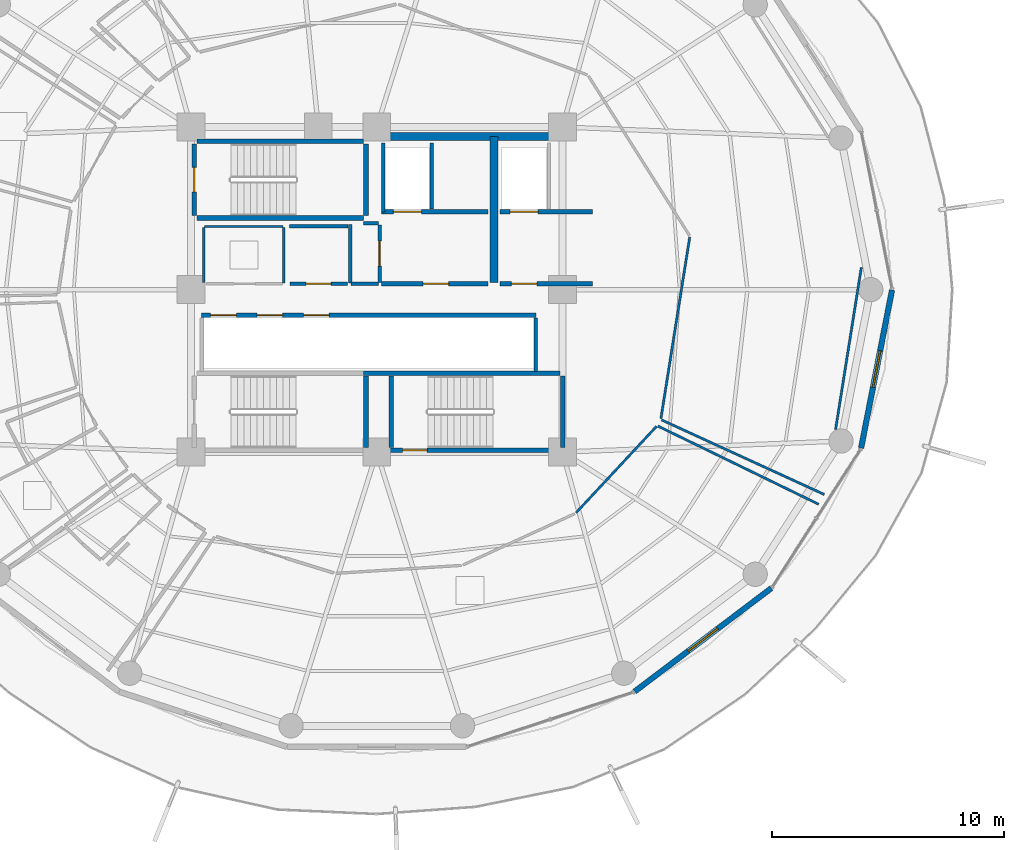
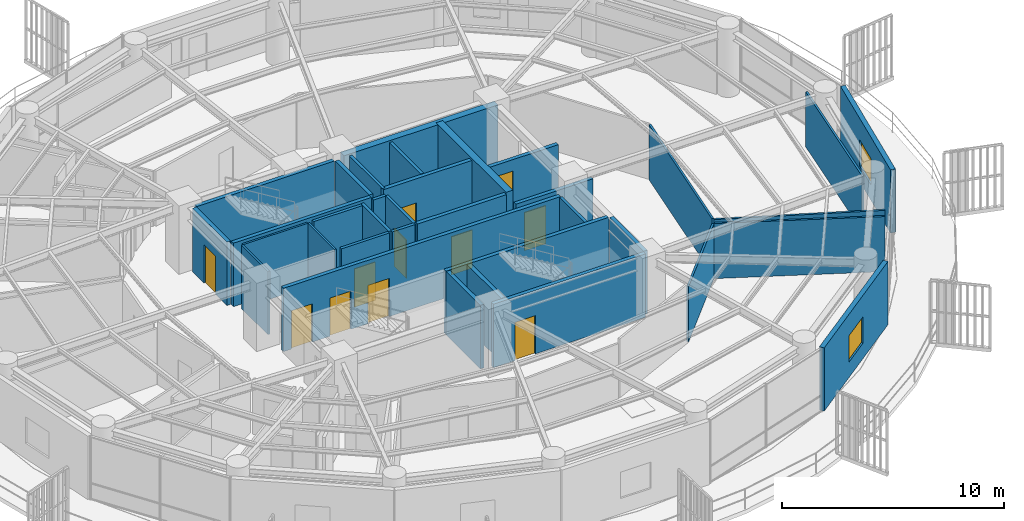
# One storey, part 24 of 30: 35 walls, 11 doors, 2 windows, 13 openings.
"""IFC4 building model written with IfcOpenShell, lengths in metres."""

from ifc_helpers import new_model, si_unit, direction, frame, frame_2d, origin, place, context, subcontext, project, spatial, rectangle, extrude, material, layer, layer_set, type_object, element, fill, save


model = new_model("IFC4")

# Units and contexts
model_context = context("Model", 3, precision=1e-05, world=origin(), true_north=direction((0.0, 1.0)))
body_context = subcontext(model_context, "Body", "Model", "MODEL_VIEW")
ifc_project = project(units=[si_unit("LENGTHUNIT", "METRE"), si_unit("AREAUNIT", "SQUARE_METRE"), si_unit("VOLUMEUNIT", "CUBIC_METRE"), si_unit("PLANEANGLEUNIT", "RADIAN"), si_unit("MASSUNIT", "GRAM", prefix="KILO")], contexts=[model_context])

# Site, building, storey
site_placement = place(None, origin())
site = spatial("IfcSite", under=ifc_project, at=site_placement, CompositionType="ELEMENT")
building_placement = place(site_placement, origin())
building = spatial("IfcBuilding", under=site, at=building_placement, Name="Kelanora Arch Commons", CompositionType="ELEMENT")
storey_placement = place(building_placement, frame((0.0, 0.0, 211.949951171875)))
storey = spatial("IfcBuildingStorey", under=building, at=storey_placement, Name="L54", CompositionType="ELEMENT", Elevation=211.949951171875)

# Walls
ifc_material_1 = material(Name="Autoclaved aerated concrete blockwork with fire plaster", Category="masonry")
ifc_layer_1 = layer(ifc_material_1, 0.14990234375)
ifc_layer_set_1 = layer_set([ifc_layer_1], Name="Autoclaved aerated concrete blockwork with fire plaster")
wall_type_1 = type_object("IfcWallType", Name="W-COMP-150", PredefinedType="PARTITIONING", material=ifc_layer_set_1)
wall_1_placement = place(storey_placement, frame((74.280029296875, 61.35009765625, 0.0), z_axis=(0.0, 0.0, 1.0), x_axis=(0.0, 1.0, 0.0)))
element("IfcWall", 1, at=wall_1_placement, inside=storey, type_object=wall_type_1, Name="Firefighting Lift 1 West Shaft Wall L54", PredefinedType="PARTITIONING", context=body_context, shape_type="SweptSolid", body=[
    extrude(rectangle(XDim=2.969970703125, YDim=0.14990234375, at=frame_2d((1.48486328125, 0.0))), origin(), (0.0, 0.0, 1.0), 3.47998046875),
])
wall_2_placement = place(storey_placement, frame((76.360107421875, 61.47998046875, 0.0), z_axis=(0.0, 0.0, 1.0), x_axis=(0.0, 1.0, 0.0)))
element("IfcWall", 2, at=wall_2_placement, inside=storey, type_object=wall_type_1, Name="Firefighting Lift 1 East Shaft Wall L54", PredefinedType="PARTITIONING", context=body_context, shape_type="SweptSolid", body=[
    extrude(rectangle(XDim=2.840087890625, YDim=0.14990234375, at=frame_2d((1.419921875, 0.0))), origin(), (0.0, 0.0, 1.0), 3.47998046875),
])
wall_3_placement = place(storey_placement, frame((80.840087890625, 54.47998046875, 0.0), z_axis=(0.0, 0.0, 1.0), x_axis=(0.0, 1.0, 0.0)))
element("IfcWall", 3, at=wall_3_placement, inside=storey, type_object=wall_type_1, Name="South Lift Bank East Wall L54", PredefinedType="PARTITIONING", context=body_context, shape_type="SweptSolid", body=[
    extrude(rectangle(XDim=2.2900390625, YDim=0.14990234375, at=frame_2d((1.14501953125, 0.0))), origin(), (0.0, 0.0, 1.0), 3.47998046875),
])

# Wall, opening, door
wall_4_placement = place(storey_placement, frame((74.1201171875, 58.31005859375, 0.0), z_axis=(0.0, 0.0, 1.0), x_axis=(0.0, 1.0, 0.0)))
wall_4 = element("IfcWall", 4, at=wall_4_placement, inside=storey, type_object=wall_type_1, Name="Core Linen Supply Store L54 Entry Partition", PredefinedType="PARTITIONING", context=body_context, shape_type="SweptSolid", body=[
    extrude(rectangle(XDim=2.47998046875, YDim=0.14990234375, at=frame_2d((1.239990234375, 0.0))), origin(), (0.0, 0.0, 1.0), 3.47998046875),
])
opening_1_placement = place(wall_4_placement, frame((0.699951171875, 0.0, 0.0)))
opening_1 = element("IfcOpeningElement", 5, at=opening_1_placement, cuts=wall_4, Name="Opening D-PLT1", PredefinedType="OPENING", context=body_context, shape_type="SweptSolid", body=[
    extrude(rectangle(XDim=1.080078125, YDim=2.10009765625, at=frame_2d((0.5400390625, 1.050048828125))), frame((0.0, 0.0849609375, 0.0), z_axis=(0.0, -1.0, 0.0), x_axis=(1.0, 0.0, 0.0)), (0.0, 0.0, 1.0), 0.169921875),
])
ifc_material_2 = material(Name="Galvanised steel plant and riser fire door", Category="steel")
door_type_1 = type_object("IfcDoorType", Name="D-PLT-110", OperationType="NOTDEFINED", PredefinedType="DOOR", material=ifc_material_2)
door_1_placement = place(opening_1_placement, origin())
door_1 = element("IfcDoor", 6, at=door_1_placement, inside=storey, type_object=door_type_1, Name="Core Linen Supply Store L54 Door", OperationType="SINGLE_SWING_RIGHT", OverallHeight=2.10009765625, OverallWidth=1.080078125, PredefinedType="DOOR", context=body_context, shape_type="SweptSolid", body=[
    extrude(rectangle(XDim=1.080078125, YDim=2.10009765625, at=frame_2d((0.5400390625, 1.050048828125))), frame((0.0, 0.02490234375, 0.0), z_axis=(0.0, -1.0, 0.0), x_axis=(1.0, 0.0, 0.0)), (0.0, 0.0, 1.0), 0.050048828125),
])
fill(opening_1, door_1)

wall_5_placement = place(storey_placement, frame((70.260009765625, 58.25, 0.0), z_axis=(0.0, 0.0, 1.0), x_axis=(1.0, 0.0, 0.0)))
wall_5 = element("IfcWall", 7, at=wall_5_placement, inside=storey, type_object=wall_type_1, Name="Reclaimed Core Linen Store L54 Entry Partition", PredefinedType="PARTITIONING", context=body_context, shape_type="SweptSolid", body=[
    extrude(rectangle(XDim=2.47998046875, YDim=0.14990234375, at=frame_2d((1.239990234375, 0.0))), origin(), (0.0, 0.0, 1.0), 3.47998046875),
])
opening_2_placement = place(wall_5_placement, frame((0.699951171875, 0.0, 0.0)))
opening_2 = element("IfcOpeningElement", 8, at=opening_2_placement, cuts=wall_5, Name="Opening D-PLT1", PredefinedType="OPENING", context=body_context, shape_type="SweptSolid", body=[
    extrude(rectangle(XDim=1.080078125, YDim=2.10009765625, at=frame_2d((0.5400390625, 1.050048828125))), frame((0.0, 0.0849609375, 0.0), z_axis=(0.0, -1.0, 0.0), x_axis=(1.0, 0.0, 0.0)), (0.0, 0.0, 1.0), 0.169921875),
])
door_2_placement = place(opening_2_placement, origin())
door_2 = element("IfcDoor", 9, at=door_2_placement, inside=storey, type_object=door_type_1, Name="Reclaimed Core Linen Store L54 Door", OperationType="SINGLE_SWING_RIGHT", OverallHeight=2.10009765625, OverallWidth=1.080078125, PredefinedType="DOOR", context=body_context, shape_type="SweptSolid", body=[
    extrude(rectangle(XDim=1.080078125, YDim=2.10009765625, at=frame_2d((0.5400390625, 1.050048828125))), frame((0.0, 0.02490234375, 0.0), z_axis=(0.0, -1.0, 0.0), x_axis=(1.0, 0.0, 0.0)), (0.0, 0.0, 1.0), 0.050048828125),
])
fill(opening_2, door_2)

# Walls
wall_6_placement = place(storey_placement, frame((72.89990234375, 58.25, 0.0), z_axis=(0.0, 0.0, 1.0), x_axis=(1.0, 0.0, 0.0)))
element("IfcWall", 10, at=wall_6_placement, inside=storey, type_object=wall_type_1, Name="Core Linen Supply Store L54 Enclosure Partition 1", PredefinedType="PARTITIONING", context=body_context, shape_type="SweptSolid", body=[
    extrude(rectangle(XDim=1.18017578125, YDim=0.14990234375, at=frame_2d((0.590087890625, 0.0))), origin(), (0.0, 0.0, 1.0), 3.47998046875),
])
wall_7_placement = place(storey_placement, frame((74.080078125, 60.85009765625, 0.0), z_axis=(0.0, 0.0, 1.0), x_axis=(-1.0, 0.0, 0.0)))
element("IfcWall", 11, at=wall_7_placement, inside=storey, type_object=wall_type_1, Name="Core Linen Supply Store L54 Enclosure Partition 3", PredefinedType="PARTITIONING", context=body_context, shape_type="SweptSolid", body=[
    extrude(rectangle(XDim=0.66015625, YDim=0.14990234375, at=frame_2d((0.330078125, 0.0))), origin(), (0.0, 0.0, 1.0), 3.47998046875),
])
for number, where, z_axis, x_axis, name in (
    (12, (72.860107421875, 60.81005859375, 0.0), (0.0, 0.0, 1.0), (0.0, -1.0, 0.0), "Core Linen Supply Store L54 Enclosure Partition 4"),
    (13, (72.760009765625, 60.719970703125, 0.0), (0.0, 0.0, 1.0), (-1.0, 0.0, 0.0), "Reclaimed Core Linen Store L54 Enclosure Partition 3"),
):
    element("IfcWall", number, at=place(storey_placement, frame(where, z_axis=z_axis, x_axis=x_axis)), inside=storey, type_object=wall_type_1, Name=name, PredefinedType="PARTITIONING", context=body_context, shape_type="SweptSolid", body=[
        extrude(rectangle(XDim=2.52001953125, YDim=0.14990234375, at=frame_2d((1.260009765625, 0.0))), origin(), (0.0, 0.0, 1.0), 3.47998046875),
    ])
ifc_material_3 = material(Name="Concrete C50/60", Category="concrete")
ifc_layer_2 = layer(ifc_material_3, 0.35009765625)
ifc_layer_set_2 = layer_set([ifc_layer_2], Name="Concrete C50/60")
wall_type_2 = type_object("IfcWallType", Name="W-CORE-350", PredefinedType="SHEAR", material=ifc_layer_set_2)
wall_8_placement = place(storey_placement, frame((74.0, 64.60009765625, 0.0), z_axis=(0.0, 0.0, 1.0), x_axis=(1.0, 0.0, 0.0)))
element("IfcWall", 14, at=wall_8_placement, inside=storey, type_object=wall_type_2, Name="Core Shear Spine L54-CN-E", PredefinedType="SHEAR", context=body_context, shape_type="SweptSolid", body=[
    extrude(rectangle(XDim=8.0, YDim=0.35009765625, at=frame_2d((4.0, 0.0))), origin(), (0.0, 0.0, 1.0), 3.489990234375),
])
wall_9_placement = place(storey_placement, frame((79.050048828125, 58.300048828125, 0.0), z_axis=(0.0, 0.0, 1.0), x_axis=(0.0, 1.0, 0.0)))
element("IfcWall", 15, at=wall_9_placement, inside=storey, type_object=wall_type_2, Name="Core Shear Spine L54-CE-N", PredefinedType="SHEAR", context=body_context, shape_type="SweptSolid", body=[
    extrude(rectangle(XDim=6.300048828125, YDim=0.35009765625, at=frame_2d((3.14990234375, 0.0))), origin(), (0.0, 0.0, 1.0), 3.489990234375),
])

# Wall, opening, window
ifc_material_4 = material(Name="Precast concrete C40/50 upper-zone terracotta rainscreen", Category="masonry")
ifc_layer_3 = layer(ifc_material_4, 0.239990234375)
ifc_layer_set_3 = layer_set([ifc_layer_3], Name="Precast concrete C40/50 upper-zone terracotta rainscreen")
wall_type_3 = type_object("IfcWallType", Name="W-EXT-TC2", PredefinedType="SOLIDWALL", material=ifc_layer_set_3)
wall_10_placement = place(storey_placement, frame((85.112060546875, 40.6884765625, 0.0), z_axis=(0.0, 0.0, 1.0), x_axis=(0.797701674595, 0.603052268338, 0.0)))
wall_10 = element("IfcWall", 16, at=wall_10_placement, inside=storey, type_object=wall_type_3, Name="Terracotta Exterior Wall L54-B15", PredefinedType="SOLIDWALL", context=body_context, shape_type="SweptSolid", body=[
    extrude(rectangle(XDim=7.373779296875, YDim=0.239990234375, at=frame_2d((3.68701171875, 0.0))), origin(), (0.0, 0.0, 1.0), 3.47509765625),
])
opening_3_placement = place(wall_10_placement, frame((2.886962890625, 0.0, 0.85009765625)))
opening_3 = element("IfcOpeningElement", 17, at=opening_3_placement, cuts=wall_10, Name="Opening WN-01", PredefinedType="OPENING", context=body_context, shape_type="SweptSolid", body=[
    extrude(rectangle(XDim=1.60009765625, YDim=1.449951171875, at=frame_2d((0.800048828125, 0.72509765625))), frame((0.0, 0.1298828125, 0.0), z_axis=(0.0, -1.0, 0.0), x_axis=(1.0, 0.0, 0.0)), (0.0, 0.0, 1.0), 0.260009765625),
])
ifc_material_5 = material(Name="Terracotta-anodised aluminium frame with operable low-E glazing", Category="masonry")
window_type = type_object("IfcWindowType", Name="WIN-CL-18", PartitioningType="DOUBLE_PANEL_VERTICAL", PredefinedType="WINDOW", material=ifc_material_5)
window_1_placement = place(opening_3_placement, origin())
window_1 = element("IfcWindow", 18, at=window_1_placement, inside=storey, type_object=window_type, Name="Co-Living Operable Window L54-B15", OverallHeight=1.449951171875, OverallWidth=1.60009765625, PartitioningType="SINGLE_PANEL", PredefinedType="WINDOW", context=body_context, shape_type="SweptSolid", body=[
    extrude(rectangle(XDim=1.60009765625, YDim=1.449951171875, at=frame_2d((0.800048828125, 0.72509765625))), frame((0.0, 0.030029296875, 0.0), z_axis=(0.0, -1.0, 0.0), x_axis=(1.0, 0.0, 0.0)), (0.0, 0.0, 1.0), 0.06005859375),
])
fill(opening_3, window_1)

wall_11_placement = place(storey_placement, frame((94.864013671875, 51.17431640625, 0.0), z_axis=(0.0, 0.0, 1.0), x_axis=(0.192069055673, 0.981381413036, 0.0)))
wall_11 = element("IfcWall", 19, at=wall_11_placement, inside=storey, type_object=wall_type_3, Name="Terracotta Exterior Wall L54-B17", PredefinedType="SOLIDWALL", context=body_context, shape_type="SweptSolid", body=[
    extrude(rectangle(XDim=6.940185546875, YDim=0.239990234375, at=frame_2d((3.47021484375, 0.0))), origin(), (0.0, 0.0, 1.0), 3.47509765625),
])
opening_4_placement = place(wall_11_placement, frame((2.669921875, 0.0, 0.85009765625)))
opening_4 = element("IfcOpeningElement", 20, at=opening_4_placement, cuts=wall_11, Name="Opening WN-01", PredefinedType="OPENING", context=body_context, shape_type="SweptSolid", body=[
    extrude(rectangle(XDim=1.60009765625, YDim=1.449951171875, at=frame_2d((0.800048828125, 0.72509765625))), frame((0.0, 0.1298828125, 0.0), z_axis=(0.0, -1.0, 0.0), x_axis=(1.0, 0.0, 0.0)), (0.0, 0.0, 1.0), 0.260009765625),
])
window_2_placement = place(opening_4_placement, origin())
window_2 = element("IfcWindow", 21, at=window_2_placement, inside=storey, type_object=window_type, Name="Co-Living Operable Window L54-B17", OverallHeight=1.449951171875, OverallWidth=1.60009765625, PartitioningType="SINGLE_PANEL", PredefinedType="WINDOW", context=body_context, shape_type="SweptSolid", body=[
    extrude(rectangle(XDim=1.60009765625, YDim=1.449951171875, at=frame_2d((0.800048828125, 0.72509765625))), frame((0.0, 0.030029296875, 0.0), z_axis=(0.0, -1.0, 0.0), x_axis=(1.0, 0.0, 0.0)), (0.0, 0.0, 1.0), 0.06005859375),
])
fill(opening_4, window_2)

# Wall, opening, door
ifc_material_6 = material(Name="Concrete C40/50", Category="concrete")
ifc_layer_4 = layer(ifc_material_6, 0.199951171875)
ifc_layer_set_4 = layer_set([ifc_layer_4], Name="Concrete C40/50")
wall_type_4 = type_object("IfcWallType", Name="W-FFL-200", PredefinedType="SOLIDWALL", material=ifc_layer_set_4)
wall_12_placement = place(storey_placement, frame((74.199951171875, 61.35009765625, 0.0), z_axis=(0.0, 0.0, 1.0), x_axis=(1.0, 0.0, 0.0)))
wall_12 = element("IfcWall", 22, at=wall_12_placement, inside=storey, type_object=wall_type_4, Name="Firefighting Lift 1 Shaft Front L54", PredefinedType="SOLIDWALL", context=body_context, shape_type="SweptSolid", body=[
    extrude(rectangle(XDim=4.60009765625, YDim=0.199951171875, at=frame_2d((2.300048828125, 0.0))), origin(), (0.0, 0.0, 1.0), 3.47998046875),
])
opening_5_placement = place(wall_12_placement, frame((0.52001953125, 0.0, 0.0)))
opening_5 = element("IfcOpeningElement", 23, at=opening_5_placement, cuts=wall_12, Name="Opening LD-FF", PredefinedType="OPENING", context=body_context, shape_type="SweptSolid", body=[
    extrude(rectangle(XDim=1.199951171875, YDim=2.14990234375, at=frame_2d((0.60009765625, 1.074951171875))), frame((0.0, 0.10986328125, 0.0), z_axis=(0.0, -1.0, 0.0), x_axis=(1.0, 0.0, 0.0)), (0.0, 0.0, 1.0), 0.219970703125),
])
ifc_material_7 = material(Name="Fire-rated firefighters lift sliding landing door")
door_type_2 = type_object("IfcDoorType", Name="D-LIFT-FF", OperationType="NOTDEFINED", PredefinedType="DOOR", material=ifc_material_7)
door_3_placement = place(opening_5_placement, origin())
door_3 = element("IfcDoor", 24, at=door_3_placement, inside=storey, type_object=door_type_2, Name="Firefighting Lift LF-FF1 Landing Door L54", OperationType="DOUBLE_DOOR_SLIDING", OverallHeight=2.14990234375, OverallWidth=1.199951171875, PredefinedType="DOOR", context=body_context, shape_type="SweptSolid", body=[
    extrude(rectangle(XDim=1.199951171875, YDim=2.14990234375, at=frame_2d((0.60009765625, 1.074951171875))), frame((0.0, 0.02490234375, 0.0), z_axis=(0.0, -1.0, 0.0), x_axis=(1.0, 0.0, 0.0)), (0.0, 0.0, 1.0), 0.050048828125),
])
fill(opening_5, door_3)

wall_13_placement = place(storey_placement, frame((79.300048828125, 61.35009765625, 0.0), z_axis=(0.0, 0.0, 1.0), x_axis=(1.0, 0.0, 0.0)))
wall_13 = element("IfcWall", 25, at=wall_13_placement, inside=storey, type_object=wall_type_4, Name="Firefighting Lift 2 Shaft Front L54", PredefinedType="SOLIDWALL", context=body_context, shape_type="SweptSolid", body=[
    extrude(rectangle(XDim=4.0, YDim=0.199951171875, at=frame_2d((2.0, 0.0))), origin(), (0.0, 0.0, 1.0), 2.775146484375),
])
opening_6_placement = place(wall_13_placement, frame((0.449951171875, 0.0, 0.0)))
opening_6 = element("IfcOpeningElement", 26, at=opening_6_placement, cuts=wall_13, Name="Opening LD-FF", PredefinedType="OPENING", context=body_context, shape_type="SweptSolid", body=[
    extrude(rectangle(XDim=1.199951171875, YDim=2.14990234375, at=frame_2d((0.60009765625, 1.074951171875))), frame((0.0, 0.10986328125, 0.0), z_axis=(0.0, -1.0, 0.0), x_axis=(1.0, 0.0, 0.0)), (0.0, 0.0, 1.0), 0.219970703125),
])
door_4_placement = place(opening_6_placement, origin())
door_4 = element("IfcDoor", 27, at=door_4_placement, inside=storey, type_object=door_type_2, Name="Firefighting Lift LF-FF2 Landing Door L54", OperationType="DOUBLE_DOOR_SLIDING", OverallHeight=2.14990234375, OverallWidth=1.199951171875, PredefinedType="DOOR", context=body_context, shape_type="SweptSolid", body=[
    extrude(rectangle(XDim=1.199951171875, YDim=2.14990234375, at=frame_2d((0.60009765625, 1.074951171875))), frame((0.0, 0.02490234375, 0.0), z_axis=(0.0, -1.0, 0.0), x_axis=(1.0, 0.0, 0.0)), (0.0, 0.0, 1.0), 0.050048828125),
])
fill(opening_6, door_4)

wall_14_placement = place(storey_placement, frame((74.199951171875, 58.25, 0.0), z_axis=(0.0, 0.0, 1.0), x_axis=(1.0, 0.0, 0.0)))
wall_14 = element("IfcWall", 28, at=wall_14_placement, inside=storey, type_object=wall_type_4, Name="Firefighting Lobby 1 Enclosure Wall L54", PredefinedType="SOLIDWALL", context=body_context, shape_type="SweptSolid", body=[
    extrude(rectangle(XDim=4.60009765625, YDim=0.199951171875, at=frame_2d((2.300048828125, 0.0))), origin(), (0.0, 0.0, 1.0), 3.47998046875),
])
opening_7_placement = place(wall_14_placement, frame((1.800048828125, 0.0, 0.0)))
opening_7 = element("IfcOpeningElement", 29, at=opening_7_placement, cuts=wall_14, Name="Opening D-FFL1", PredefinedType="OPENING", context=body_context, shape_type="SweptSolid", body=[
    extrude(rectangle(XDim=1.10009765625, YDim=2.10009765625, at=frame_2d((0.550048828125, 1.050048828125))), frame((0.0, 0.10986328125, 0.0), z_axis=(0.0, -1.0, 0.0), x_axis=(1.0, 0.0, 0.0)), (0.0, 0.0, 1.0), 0.219970703125),
])
ifc_material_8 = material(Name="Smoke-sealed firefighting lobby fire door")
door_type_3 = type_object("IfcDoorType", Name="D-FFL-110", OperationType="NOTDEFINED", PredefinedType="DOOR", material=ifc_material_8)
door_5_placement = place(opening_7_placement, frame((1.10009765625, 0.0, 0.0), z_axis=(0.0, 0.0, 1.0), x_axis=(-1.0, 0.0, 0.0)))
door_5 = element("IfcDoor", 30, at=door_5_placement, inside=storey, type_object=door_type_3, Name="Firefighting Lobby 1 Door L54", OperationType="SINGLE_SWING_LEFT", OverallHeight=2.10009765625, OverallWidth=1.10009765625, PredefinedType="DOOR", context=body_context, shape_type="SweptSolid", body=[
    extrude(rectangle(XDim=1.10009765625, YDim=2.10009765625, at=frame_2d((0.550048828125, 1.050048828125))), frame((0.0, 0.02490234375, 0.0), z_axis=(0.0, -1.0, 0.0), x_axis=(1.0, 0.0, 0.0)), (0.0, 0.0, 1.0), 0.050048828125),
])
fill(opening_7, door_5)

wall_15_placement = place(storey_placement, frame((79.300048828125, 58.25, 0.0), z_axis=(0.0, 0.0, 1.0), x_axis=(1.0, 0.0, 0.0)))
wall_15 = element("IfcWall", 31, at=wall_15_placement, inside=storey, type_object=wall_type_4, Name="Firefighting Lobby 2 Enclosure Wall L54", PredefinedType="SOLIDWALL", context=body_context, shape_type="SweptSolid", body=[
    extrude(rectangle(XDim=4.0, YDim=0.199951171875, at=frame_2d((2.0, 0.0))), origin(), (0.0, 0.0, 1.0), 2.775146484375),
])
opening_8_placement = place(wall_15_placement, frame((0.5, 0.0, 0.0)))
opening_8 = element("IfcOpeningElement", 32, at=opening_8_placement, cuts=wall_15, Name="Opening D-FFL1", PredefinedType="OPENING", context=body_context, shape_type="SweptSolid", body=[
    extrude(rectangle(XDim=1.10009765625, YDim=2.10009765625, at=frame_2d((0.550048828125, 1.050048828125))), frame((0.0, 0.10986328125, 0.0), z_axis=(0.0, -1.0, 0.0), x_axis=(1.0, 0.0, 0.0)), (0.0, 0.0, 1.0), 0.219970703125),
])
door_6_placement = place(opening_8_placement, frame((1.10009765625, 0.0, 0.0), z_axis=(0.0, 0.0, 1.0), x_axis=(-1.0, 0.0, 0.0)))
door_6 = element("IfcDoor", 33, at=door_6_placement, inside=storey, type_object=door_type_3, Name="Firefighting Lobby 2 Door L54", OperationType="SINGLE_SWING_RIGHT", OverallHeight=2.10009765625, OverallWidth=1.10009765625, PredefinedType="DOOR", context=body_context, shape_type="SweptSolid", body=[
    extrude(rectangle(XDim=1.10009765625, YDim=2.10009765625, at=frame_2d((0.550048828125, 1.050048828125))), frame((0.0, 0.02490234375, 0.0), z_axis=(0.0, -1.0, 0.0), x_axis=(1.0, 0.0, 0.0)), (0.0, 0.0, 1.0), 0.050048828125),
])
fill(opening_8, door_6)

# Wall, openings, doors
wall_16_placement = place(storey_placement, frame((66.449951171875, 56.89990234375, 0.0), z_axis=(0.0, 0.0, 1.0), x_axis=(1.0, 0.0, 0.0)))
wall_16 = element("IfcWall", 34, at=wall_16_placement, inside=storey, type_object=wall_type_4, Name="Mid/High/Express Lift Shaft Front L54", PredefinedType="SOLIDWALL", context=body_context, shape_type="SweptSolid", body=[
    extrude(rectangle(XDim=14.400146484375, YDim=0.199951171875, at=frame_2d((7.2001953125, 0.0))), origin(), (0.0, 0.0, 1.0), 3.47998046875),
])
opening_9_placement = place(wall_16_placement, frame((0.39990234375, 0.0, 0.0)))
opening_9 = element("IfcOpeningElement", 35, at=opening_9_placement, cuts=wall_16, Name="Opening LD-01", PredefinedType="OPENING", context=body_context, shape_type="SweptSolid", body=[
    extrude(rectangle(XDim=1.10009765625, YDim=2.10009765625, at=frame_2d((0.550048828125, 1.050048828125))), frame((0.0, 0.10986328125, 0.0), z_axis=(0.0, -1.0, 0.0), x_axis=(1.0, 0.0, 0.0)), (0.0, 0.0, 1.0), 0.219970703125),
])
opening_10_placement = place(wall_16_placement, frame((2.39990234375, 0.0, 0.0)))
opening_10 = element("IfcOpeningElement", 36, at=opening_10_placement, cuts=wall_16, Name="Opening LD-01", PredefinedType="OPENING", context=body_context, shape_type="SweptSolid", body=[
    extrude(rectangle(XDim=1.10009765625, YDim=2.10009765625, at=frame_2d((0.550048828125, 1.050048828125))), frame((0.0, 0.10986328125, 0.0), z_axis=(0.0, -1.0, 0.0), x_axis=(1.0, 0.0, 0.0)), (0.0, 0.0, 1.0), 0.219970703125),
])
opening_11_placement = place(wall_16_placement, frame((4.39990234375, 0.0, 0.0)))
opening_11 = element("IfcOpeningElement", 37, at=opening_11_placement, cuts=wall_16, Name="Opening LD-01", PredefinedType="OPENING", context=body_context, shape_type="SweptSolid", body=[
    extrude(rectangle(XDim=1.10009765625, YDim=2.10009765625, at=frame_2d((0.550048828125, 1.050048828125))), frame((0.0, 0.10986328125, 0.0), z_axis=(0.0, -1.0, 0.0), x_axis=(1.0, 0.0, 0.0)), (0.0, 0.0, 1.0), 0.219970703125),
])
ifc_material_9 = material(Name="Stainless steel passenger lift sliding landing door", Category="steel")
door_type_4 = type_object("IfcDoorType", Name="D-LIFT-110", OperationType="NOTDEFINED", PredefinedType="DOOR", material=ifc_material_9)
door_7_placement = place(opening_9_placement, origin())
door_7 = element("IfcDoor", 38, at=door_7_placement, inside=storey, type_object=door_type_4, Name="Passenger Lift LF-P4 Landing Door L54", OperationType="DOUBLE_DOOR_SLIDING", OverallHeight=2.10009765625, OverallWidth=1.10009765625, PredefinedType="DOOR", context=body_context, shape_type="SweptSolid", body=[
    extrude(rectangle(XDim=1.10009765625, YDim=2.10009765625, at=frame_2d((0.550048828125, 1.050048828125))), frame((0.0, 0.02490234375, 0.0), z_axis=(0.0, -1.0, 0.0), x_axis=(1.0, 0.0, 0.0)), (0.0, 0.0, 1.0), 0.050048828125),
])
fill(opening_9, door_7)
door_8_placement = place(opening_10_placement, origin())
door_8 = element("IfcDoor", 39, at=door_8_placement, inside=storey, type_object=door_type_4, Name="Passenger Lift LF-P5 Landing Door L54", OperationType="DOUBLE_DOOR_SLIDING", OverallHeight=2.10009765625, OverallWidth=1.10009765625, PredefinedType="DOOR", context=body_context, shape_type="SweptSolid", body=[
    extrude(rectangle(XDim=1.10009765625, YDim=2.10009765625, at=frame_2d((0.550048828125, 1.050048828125))), frame((0.0, 0.02490234375, 0.0), z_axis=(0.0, -1.0, 0.0), x_axis=(1.0, 0.0, 0.0)), (0.0, 0.0, 1.0), 0.050048828125),
])
fill(opening_10, door_8)
door_9_placement = place(opening_11_placement, origin())
door_9 = element("IfcDoor", 40, at=door_9_placement, inside=storey, type_object=door_type_4, Name="Passenger Lift LF-P6 Landing Door L54", OperationType="DOUBLE_DOOR_SLIDING", OverallHeight=2.10009765625, OverallWidth=1.10009765625, PredefinedType="DOOR", context=body_context, shape_type="SweptSolid", body=[
    extrude(rectangle(XDim=1.10009765625, YDim=2.10009765625, at=frame_2d((0.550048828125, 1.050048828125))), frame((0.0, 0.02490234375, 0.0), z_axis=(0.0, -1.0, 0.0), x_axis=(1.0, 0.0, 0.0)), (0.0, 0.0, 1.0), 0.050048828125),
])
fill(opening_11, door_9)

# Walls
ifc_material_10 = material(Name="Lightweight fire-rated acoustic stud partition")
ifc_layer_5 = layer(ifc_material_10, 0.10009765625)
ifc_layer_set_5 = layer_set([ifc_layer_5], Name="Lightweight fire-rated acoustic stud partition")
wall_type_5 = type_object("IfcWallType", Name="W-PART-100", PredefinedType="PARTITIONING", material=ifc_layer_set_5)
wall_17_placement = place(storey_placement, frame((70.0, 58.2900390625, 0.0), z_axis=(0.0, 0.0, 1.0), x_axis=(0.0, 1.0, 0.0)))
element("IfcWall", 41, at=wall_17_placement, inside=storey, type_object=wall_type_5, Name="Reclaimed Core Quiet Phone Booths L54 Enclosure Partition 2", PredefinedType="PARTITIONING", context=body_context, shape_type="SweptSolid", body=[
    extrude(rectangle(XDim=2.389892578125, YDim=0.10009765625, at=frame_2d((1.19482421875, 0.0))), origin(), (0.0, 0.0, 1.0), 3.47998046875),
])
wall_18_placement = place(storey_placement, frame((69.9599609375, 60.719970703125, 0.0), z_axis=(0.0, 0.0, 1.0), x_axis=(-1.0, 0.0, 0.0)))
element("IfcWall", 42, at=wall_18_placement, inside=storey, type_object=wall_type_5, Name="Reclaimed Core Quiet Phone Booths L54 Enclosure Partition 3", PredefinedType="PARTITIONING", context=body_context, shape_type="SweptSolid", body=[
    extrude(rectangle(XDim=3.369873046875, YDim=0.10009765625, at=frame_2d((1.68505859375, 0.0))), origin(), (0.0, 0.0, 1.0), 3.47998046875),
])
wall_19_placement = place(storey_placement, frame((66.550048828125, 60.679931640625, 0.0), z_axis=(0.0, 0.0, 1.0), x_axis=(0.0, -1.0, 0.0)))
element("IfcWall", 43, at=wall_19_placement, inside=storey, type_object=wall_type_5, Name="Reclaimed Core Quiet Phone Booths L54 Enclosure Partition 4", PredefinedType="PARTITIONING", context=body_context, shape_type="SweptSolid", body=[
    extrude(rectangle(XDim=2.383056640625, YDim=0.10009765625, at=frame_2d((1.19140625, 0.0))), origin(), (0.0, 0.0, 1.0), 3.47998046875),
])
wall_20_placement = place(storey_placement, frame((82.58837890625, 48.389404296875, 0.0), z_axis=(0.0, 0.0, 1.0), x_axis=(0.68157475052, 0.731748494671, 0.0)))
element("IfcWall", 44, at=wall_20_placement, inside=storey, type_object=wall_type_5, Name="South-East Shared Study Commons L54 Enclosure Partition 4", PredefinedType="PARTITIONING", context=body_context, shape_type="SweptSolid", body=[
    extrude(rectangle(XDim=5.080078125, YDim=0.10009765625, at=frame_2d((2.5400390625, 0.0))), origin(), (0.0, 0.0, 1.0), 3.025146484375),
])
wall_21_placement = place(storey_placement, frame((86.114013671875, 52.118408203125, 0.0), z_axis=(0.0, 0.0, 1.0), x_axis=(0.899283988658, -0.437365188078, 0.0)))
element("IfcWall", 45, at=wall_21_placement, inside=storey, type_object=wall_type_5, Name="South-East Shared Study Commons L54 Enclosure Partition 5", PredefinedType="PARTITIONING", context=body_context, shape_type="SweptSolid", body=[
    extrude(rectangle(XDim=7.696044921875, YDim=0.10009765625, at=frame_2d((3.84814453125, 0.0))), origin(), (0.0, 0.0, 1.0), 3.025146484375),
])
wall_22_placement = place(storey_placement, frame((86.240234375, 52.44140625, 0.0), z_axis=(0.0, 0.0, 1.0), x_axis=(0.156928440611, 0.987609975915, 0.0)))
element("IfcWall", 46, at=wall_22_placement, inside=storey, type_object=wall_type_5, Name="North-East Shared Cluster Kitchen L54 Enclosure Partition 1", PredefinedType="PARTITIONING", context=body_context, shape_type="SweptSolid", body=[
    extrude(rectangle(XDim=7.917236328125, YDim=0.10009765625, at=frame_2d((3.95849609375, 0.0))), origin(), (0.0, 0.0, 1.0), 3.025146484375),
])
wall_23_placement = place(storey_placement, frame((94.8740234375, 58.952880859375, 0.0), z_axis=(0.0, 0.0, 1.0), x_axis=(-0.156966500415, -0.987603927568, 0.0)))
element("IfcWall", 47, at=wall_23_placement, inside=storey, type_object=wall_type_5, Name="North-East Shared Cluster Kitchen L54 Enclosure Partition 9", PredefinedType="PARTITIONING", context=body_context, shape_type="SweptSolid", body=[
    extrude(rectangle(XDim=7.067626953125, YDim=0.10009765625, at=frame_2d((3.53369140625, 0.0))), origin(), (0.0, 0.0, 1.0), 3.025146484375),
])
wall_24_placement = place(storey_placement, frame((93.280517578125, 49.172607421875, 0.0), z_axis=(0.0, 0.0, 1.0), x_axis=(-0.909078313488, 0.416625275213, 0.0)))
element("IfcWall", 48, at=wall_24_placement, inside=storey, type_object=wall_type_5, Name="North-East Shared Cluster Kitchen L54 Enclosure Partition 10", PredefinedType="PARTITIONING", context=body_context, shape_type="SweptSolid", body=[
    extrude(rectangle(XDim=7.711181640625, YDim=0.10009765625, at=frame_2d((3.85546875, 0.0))), origin(), (0.0, 0.0, 1.0), 3.025146484375),
])
ifc_layer_6 = layer(ifc_material_6, 0.199951171875)
ifc_layer_set_6 = layer_set([ifc_layer_6], Name="Concrete C40/50")
wall_type_6 = type_object("IfcWallType", Name="W-STAIR-200", PredefinedType="SHEAR", material=ifc_layer_set_6)
wall_25_placement = place(storey_placement, frame((66.260009765625, 61.080078125, 0.0), z_axis=(0.0, 0.0, 1.0), x_axis=(1.0, 0.0, 0.0)))
element("IfcWall", 49, at=wall_25_placement, inside=storey, type_object=wall_type_6, Name="Stair ST-T1 Shaft Wall S L54", PredefinedType="SHEAR", context=body_context, shape_type="SweptSolid", body=[
    extrude(rectangle(XDim=7.159912109375, YDim=0.199951171875, at=frame_2d((3.580078125, 0.0))), origin(), (0.0, 0.0, 1.0), 3.489990234375),
])
wall_26_placement = place(storey_placement, frame((73.5400390625, 61.199951171875, 0.0), z_axis=(0.0, 0.0, 1.0), x_axis=(0.0, 1.0, 0.0)))
element("IfcWall", 50, at=wall_26_placement, inside=storey, type_object=wall_type_6, Name="Stair ST-T1 Shaft Wall E L54", PredefinedType="SHEAR", context=body_context, shape_type="SweptSolid", body=[
    extrude(rectangle(XDim=3.070068359375, YDim=0.199951171875, at=frame_2d((1.53515625, 0.0))), origin(), (0.0, 0.0, 1.0), 3.489990234375),
])
wall_27_placement = place(storey_placement, frame((73.419921875, 64.389892578125, 0.0), z_axis=(0.0, 0.0, 1.0), x_axis=(-1.0, 0.0, 0.0)))
element("IfcWall", 51, at=wall_27_placement, inside=storey, type_object=wall_type_6, Name="Stair ST-T1 Shaft Wall N L54", PredefinedType="SHEAR", context=body_context, shape_type="SweptSolid", body=[
    extrude(rectangle(XDim=7.159912109375, YDim=0.199951171875, at=frame_2d((3.580078125, 0.0))), origin(), (0.0, 0.0, 1.0), 3.489990234375),
])

# Wall, opening, door
wall_28_placement = place(storey_placement, frame((66.139892578125, 64.27001953125, 0.0), z_axis=(0.0, 0.0, 1.0), x_axis=(0.0, -1.0, 0.0)))
wall_28 = element("IfcWall", 52, at=wall_28_placement, inside=storey, type_object=wall_type_6, Name="Stair ST-T1 Shaft Wall W L54", PredefinedType="SHEAR", context=body_context, shape_type="SweptSolid", body=[
    extrude(rectangle(XDim=3.070068359375, YDim=0.199951171875, at=frame_2d((1.53515625, 0.0))), origin(), (0.0, 0.0, 1.0), 3.489990234375),
])
opening_12_placement = place(wall_28_placement, frame((1.010009765625, 0.0, 0.0)))
opening_12 = element("IfcOpeningElement", 53, at=opening_12_placement, cuts=wall_28, Name="Opening D-ST1", PredefinedType="OPENING", context=body_context, shape_type="SweptSolid", body=[
    extrude(rectangle(XDim=1.050048828125, YDim=2.10009765625, at=frame_2d((0.52490234375, 1.050048828125))), frame((0.0, 0.10986328125, 0.0), z_axis=(0.0, -1.0, 0.0), x_axis=(1.0, 0.0, 0.0)), (0.0, 0.0, 1.0), 0.219970703125),
])
ifc_material_11 = material(Name="Steel fire-rated stairwell escape door", Category="steel")
door_type_5 = type_object("IfcDoorType", Name="D-STAIR-110", OperationType="NOTDEFINED", PredefinedType="DOOR", material=ifc_material_11)
door_10_placement = place(opening_12_placement, origin())
door_10 = element("IfcDoor", 54, at=door_10_placement, inside=storey, type_object=door_type_5, Name="Stair ST-T1 Escape Door L54", OperationType="SINGLE_SWING_LEFT", OverallHeight=2.10009765625, OverallWidth=1.050048828125, PredefinedType="DOOR", context=body_context, shape_type="SweptSolid", body=[
    extrude(rectangle(XDim=1.050048828125, YDim=2.10009765625, at=frame_2d((0.52490234375, 1.050048828125))), frame((0.0, 0.02490234375, 0.0), z_axis=(0.0, -1.0, 0.0), x_axis=(1.0, 0.0, 0.0)), (0.0, 0.0, 1.0), 0.050048828125),
])
fill(opening_12, door_10)

wall_29_placement = place(storey_placement, frame((74.0, 51.080078125, 0.0), z_axis=(0.0, 0.0, 1.0), x_axis=(1.0, 0.0, 0.0)))
wall_29 = element("IfcWall", 55, at=wall_29_placement, inside=storey, type_object=wall_type_6, Name="Stair ST-T2 Shaft Wall S L54", PredefinedType="SHEAR", context=body_context, shape_type="SweptSolid", body=[
    extrude(rectangle(XDim=7.89990234375, YDim=0.199951171875, at=frame_2d((3.949951171875, 0.0))), origin(), (0.0, 0.0, 1.0), 3.489990234375),
])
opening_13_placement = place(wall_29_placement, frame((1.1201171875, 0.0, 0.0)))
opening_13 = element("IfcOpeningElement", 56, at=opening_13_placement, cuts=wall_29, Name="Opening D-ST1", PredefinedType="OPENING", context=body_context, shape_type="SweptSolid", body=[
    extrude(rectangle(XDim=1.050048828125, YDim=2.10009765625, at=frame_2d((0.52490234375, 1.050048828125))), frame((0.0, 0.10986328125, 0.0), z_axis=(0.0, -1.0, 0.0), x_axis=(1.0, 0.0, 0.0)), (0.0, 0.0, 1.0), 0.219970703125),
])
door_11_placement = place(opening_13_placement, origin())
door_11 = element("IfcDoor", 57, at=door_11_placement, inside=storey, type_object=door_type_5, Name="Stair ST-T2 Escape Door L54", OperationType="SINGLE_SWING_LEFT", OverallHeight=2.10009765625, OverallWidth=1.050048828125, PredefinedType="DOOR", context=body_context, shape_type="SweptSolid", body=[
    extrude(rectangle(XDim=1.050048828125, YDim=2.10009765625, at=frame_2d((0.52490234375, 1.050048828125))), frame((0.0, 0.02490234375, 0.0), z_axis=(0.0, -1.0, 0.0), x_axis=(1.0, 0.0, 0.0)), (0.0, 0.0, 1.0), 0.050048828125),
])
fill(opening_13, door_11)

# Walls
wall_30_placement = place(storey_placement, frame((82.02001953125, 51.199951171875, 0.0), z_axis=(0.0, 0.0, 1.0), x_axis=(0.0, 1.0, 0.0)))
element("IfcWall", 58, at=wall_30_placement, inside=storey, type_object=wall_type_6, Name="Stair ST-T2 Shaft Wall E L54", PredefinedType="SHEAR", context=body_context, shape_type="SweptSolid", body=[
    extrude(rectangle(XDim=3.070068359375, YDim=0.199951171875, at=frame_2d((1.53515625, 0.0))), origin(), (0.0, 0.0, 1.0), 3.489990234375),
])
wall_31_placement = place(storey_placement, frame((81.89990234375, 54.389892578125, 0.0), z_axis=(0.0, 0.0, 1.0), x_axis=(-1.0, 0.0, 0.0)))
element("IfcWall", 59, at=wall_31_placement, inside=storey, type_object=wall_type_6, Name="Stair ST-T2 Shaft Wall N L54", PredefinedType="SHEAR", context=body_context, shape_type="SweptSolid", body=[
    extrude(rectangle(XDim=8.4599609375, YDim=0.199951171875, at=frame_2d((4.22998046875, 0.0))), origin(), (0.0, 0.0, 1.0), 3.489990234375),
])
for number, where, z_axis, x_axis, name in (
    (60, (74.6201171875, 54.27001953125, 0.0), (0.0, 0.0, 1.0), (0.0, -1.0, 0.0), "Stair ST-T2 Shaft Wall W L54"),
    (61, (73.5400390625, 51.199951171875, 0.0), (0.0, 0.0, 1.0), (0.0, 1.0, 0.0), "Stair ST-T3 Shaft Wall E L54"),
):
    element("IfcWall", number, at=place(storey_placement, frame(where, z_axis=z_axis, x_axis=x_axis)), inside=storey, type_object=wall_type_6, Name=name, PredefinedType="SHEAR", context=body_context, shape_type="SweptSolid", body=[
        extrude(rectangle(XDim=3.070068359375, YDim=0.199951171875, at=frame_2d((1.53515625, 0.0))), origin(), (0.0, 0.0, 1.0), 3.489990234375),
    ])

save(model, "model.ifc")
